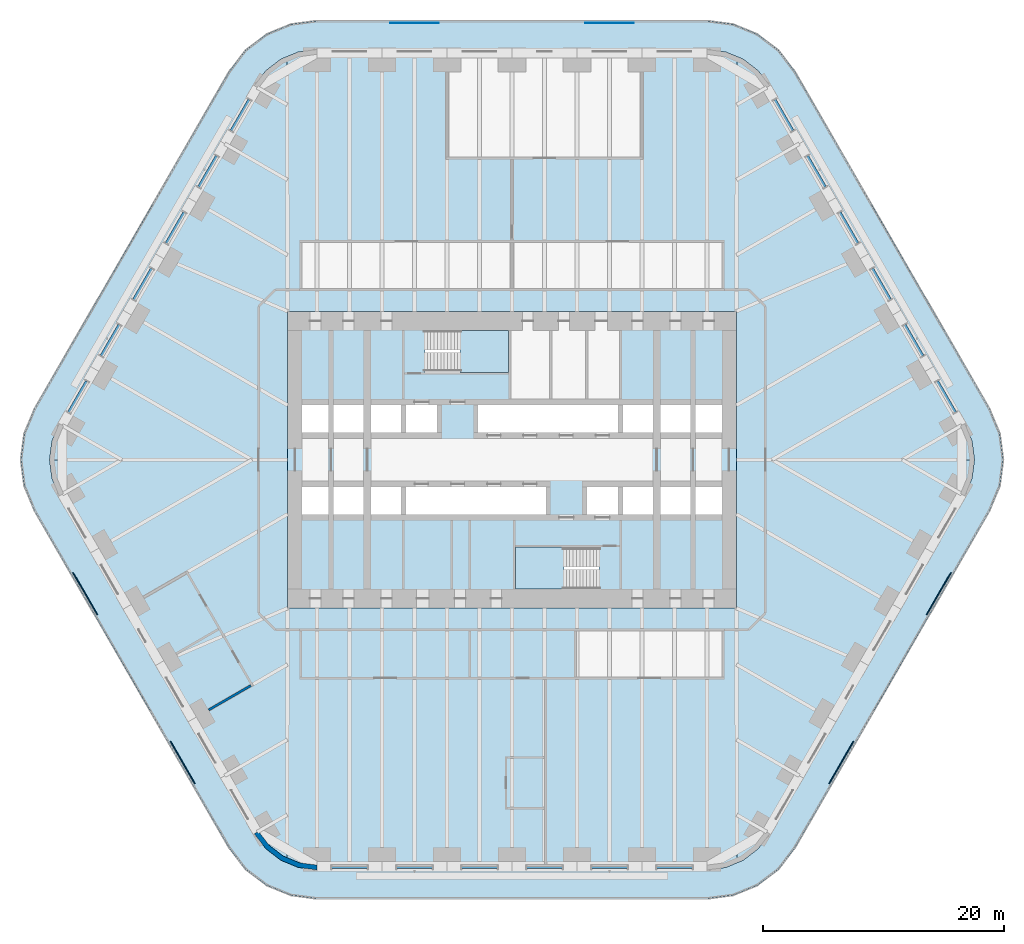
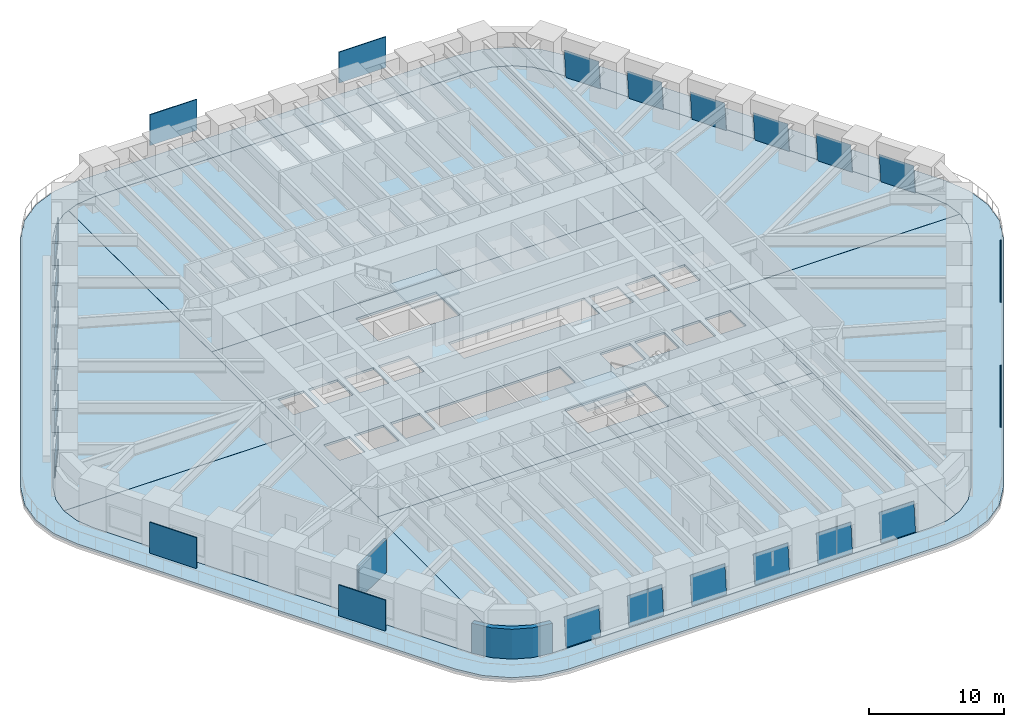
# One storey, part 15 of 23: 24 plates, 10 slabs, 2 walls, 20 elements without a shape of their own.
"""IFC4 building model written with IfcOpenShell, lengths in metres."""

from ifc_helpers import new_model, si_unit, direction, frame, frame_2d, origin, origin_2d, place, context, subcontext, project, spatial, polyline, rectangle, outline, extrude, material, layer, layer_set, type_object, element, aggregate, save


model = new_model("IFC4")

# Units and contexts
model_context = context("Model", 3, precision=1e-05, world=origin(), true_north=direction((0.0, 1.0)))
body_context = subcontext(model_context, "Body", "Model", "MODEL_VIEW")
ifc_project = project(units=[si_unit("LENGTHUNIT", "METRE"), si_unit("AREAUNIT", "SQUARE_METRE"), si_unit("VOLUMEUNIT", "CUBIC_METRE"), si_unit("PLANEANGLEUNIT", "RADIAN"), si_unit("MASSUNIT", "GRAM", prefix="KILO")], contexts=[model_context])

# Site, building, storey
site_placement = place(None, origin())
site = spatial("IfcSite", under=ifc_project, at=site_placement, CompositionType="ELEMENT")
building_placement = place(site_placement, origin())
building = spatial("IfcBuilding", under=site, at=building_placement, Name="Tarfa Lantern Tower", CompositionType="ELEMENT")
storey_placement = place(building_placement, frame((0.0, 0.0, 36.10009765625)))
storey = spatial("IfcBuildingStorey", under=building, at=storey_placement, Name="L07", CompositionType="ELEMENT", Elevation=36.10009765625)

# Slab
ifc_material_1 = material(Name="Concrete C40/50", Category="concrete")
ifc_layer_1 = layer(ifc_material_1, 0.199951171875)
ifc_layer_set_1 = layer_set([ifc_layer_1], Name="BS2 BALCONY SLAB 200")
slab_type_1 = type_object("IfcSlabType", Name="BS2 BALCONY SLAB 200", PredefinedType="FLOOR", material=ifc_layer_set_1)
slab_1_placement = place(storey_placement, frame((0.0, 0.0, -0.2001953125)))
element("IfcSlab", 1, at=slab_1_placement, inside=storey, type_object=slab_type_1, Name="Balcony L07", PredefinedType="FLOOR", context=body_context, shape_type="SweptSolid", body=[
    extrude(outline(polyline([(39.606201171875, 4.199951171875), (23.4404296875, 32.199951171875), (22.10546875, 33.939697265625), (20.36572265625, 35.274658203125), (18.33984375, 36.11376953125), (16.165771484375, 36.39990234375), (-16.165771484375, 36.39990234375), (-18.33984375, 36.11376953125), (-20.36572265625, 35.274658203125), (-22.10546875, 33.939697265625), (-23.4404296875, 32.199951171875), (-39.606201171875, 4.199951171875), (-40.4453125, 2.174072265625), (-40.731689453125, 0.0), (-40.4453125, -2.174072265625), (-39.606201171875, -4.199951171875), (-23.4404296875, -32.199951171875), (-22.10546875, -33.939697265625), (-20.36572265625, -35.274658203125), (-18.33984375, -36.11376953125), (-16.165771484375, -36.39990234375), (16.165771484375, -36.39990234375), (18.33984375, -36.11376953125), (20.36572265625, -35.274658203125), (22.10546875, -33.939697265625), (23.4404296875, -32.199951171875), (39.606201171875, -4.199951171875), (40.4453125, -2.174072265625), (40.731689453125, 0.0), (40.4453125, 2.174072265625), (39.606201171875, 4.199951171875)]), holes=[polyline([(37.52783203125, 3.0), (21.362060546875, 31.0), (20.408447265625, 32.24267578125), (19.165771484375, 33.196044921875), (17.71875, 33.795654296875), (16.165771484375, 34.0), (-16.165771484375, 34.0), (-17.71875, 33.795654296875), (-19.165771484375, 33.196044921875), (-20.408447265625, 32.24267578125), (-21.362060546875, 31.0), (-37.52783203125, 3.0), (-38.127197265625, 1.552978515625), (-38.33154296875, 0.0), (-38.127197265625, -1.552978515625), (-37.52783203125, -3.0), (-21.362060546875, -31.0), (-20.408447265625, -32.24267578125), (-19.165771484375, -33.196044921875), (-17.71875, -33.795654296875), (-16.165771484375, -34.0), (16.165771484375, -34.0), (17.71875, -33.795654296875), (19.165771484375, -33.196044921875), (20.408447265625, -32.24267578125), (21.362060546875, -31.0), (37.52783203125, -3.0), (38.127197265625, -1.552978515625), (38.33154296875, 0.0), (38.127197265625, 1.552978515625), (37.52783203125, 3.0)])]), origin(), (0.0, 0.0, 1.0), 0.2001953125),
])

# Curtain wall, plate
ifc_material_2 = material(Name="Aluminium framed curtain wall", Category="aluminium")
curtain_wall_type = type_object("IfcCurtainWallType", Name="CW1 CANTED GLAZING LOW ZONE 2700", PredefinedType="USERDEFINED", material=ifc_material_2)
curtain_wall_1_placement = place(storey_placement, origin())
curtain_wall_1 = element("IfcCurtainWall", 2, at=curtain_wall_1_placement, inside=storey, type_object=curtain_wall_type, Name="CW1 NE L07", ObjectType="CURTAIN WALL", PredefinedType="USERDEFINED")
ifc_material_3 = material(Name="Laminated double glazing", Category="glass")
ifc_layer_2 = layer(ifc_material_3, 0.028076171875)
ifc_layer_set_2 = layer_set([ifc_layer_2], Name="CWP1 DOUBLE GLAZED PANEL")
plate_type_1 = type_object("IfcPlateType", Name="CWP1 DOUBLE GLAZED PANEL", PredefinedType="CURTAIN_PANEL", material=ifc_layer_set_2)
plate_1_placement = place(storey_placement, frame((36.833740234375, 4.002197265625, 0.0), z_axis=(0.862327869115, 0.497882393798, 0.092215877663), x_axis=(-0.500013192991, 0.866017786667, 3.280829e-06)))
plate_1 = element("IfcPlate", 3, at=plate_1_placement, type_object=plate_type_1, Name="CW1 panel 1.1", PredefinedType="CURTAIN_PANEL", context=body_context, shape_type="SweptSolid", body=[
    extrude(outline(polyline([(0.0, 0.0), (2.9587247608884493, 1.3877787807814457e-17), (2.9586119504863087, 2.6462757391593192), (9.26313130443569e-06, 2.6462952359749448), (0.0, 0.0)])), origin(), (0.0, 0.0, -1.0), 0.028076171875),
])
aggregate(curtain_wall_1, [plate_1])

curtain_wall_2_placement = place(storey_placement, origin())
curtain_wall_2 = element("IfcCurtainWall", 4, at=curtain_wall_2_placement, inside=storey, type_object=curtain_wall_type, Name="CW1 NE L07", ObjectType="CURTAIN WALL", PredefinedType="USERDEFINED")
plate_2_placement = place(storey_placement, frame((34.139404296875, 8.6689453125, 0.0), z_axis=(0.862342481163, 0.497849746867, 0.09225548616), x_axis=(-0.499981985492, 0.866035804215, 0.0)))
plate_2 = element("IfcPlate", 5, at=plate_2_placement, type_object=plate_type_1, Name="CW1 panel 1.1", PredefinedType="CURTAIN_PANEL", context=body_context, shape_type="SweptSolid", body=[
    extrude(outline(polyline([(0.0, 0.0), (2.9586026892918595, 0.0), (2.958594509928721, 2.6462952380721316), (-8.179363138682455e-06, 2.6462952380721316), (0.0, 0.0)])), origin(), (0.0, 0.0, -1.0), 0.028076171875),
])
aggregate(curtain_wall_2, [plate_2])

curtain_wall_3_placement = place(storey_placement, origin())
curtain_wall_3 = element("IfcCurtainWall", 6, at=curtain_wall_3_placement, inside=storey, type_object=curtain_wall_type, Name="CW1 NE L07", ObjectType="CURTAIN WALL", PredefinedType="USERDEFINED")
plate_3_placement = place(storey_placement, frame((31.445068359375, 13.33544921875, 0.0), z_axis=(0.862331536503, 0.497884511238, 0.09217013953), x_axis=(-0.500012666981, 0.86601809037, -3.279351e-06)))
plate_3 = element("IfcPlate", 7, at=plate_3_placement, type_object=plate_type_1, Name="CW1 panel 1.1", PredefinedType="CURTAIN_PANEL", context=body_context, shape_type="SweptSolid", body=[
    extrude(outline(polyline([(0.0, 0.0), (2.958602687419229, -2.7755575615628914e-17), (2.9588059463239933, 2.6462839775192477), (8.118549973916932e-05, 2.6462644895697935), (0.0, 0.0)])), origin(), (0.0, 0.0, -1.0), 0.028076171875),
])
aggregate(curtain_wall_3, [plate_3])

curtain_wall_4_placement = place(storey_placement, origin())
curtain_wall_4 = element("IfcCurtainWall", 8, at=curtain_wall_4_placement, inside=storey, type_object=curtain_wall_type, Name="CW1 NE L07", ObjectType="CURTAIN WALL", PredefinedType="USERDEFINED")
plate_4_placement = place(storey_placement, frame((28.750732421875, 18.002197265625, 0.0), z_axis=(0.862327869115, 0.497882393798, 0.092215877663), x_axis=(-0.50001266672, 0.866018090521, -3.280965e-06)))
plate_4 = element("IfcPlate", 9, at=plate_4_placement, type_object=plate_type_1, Name="CW1 panel 1.1", PredefinedType="CURTAIN_PANEL", context=body_context, shape_type="SweptSolid", body=[
    extrude(outline(polyline([(0.0, 0.0), (2.958602687419245, 1.3877787807814457e-17), (2.9585945118013295, 2.646295235978528), (-0.00013024902287634953, 2.646275738358454), (0.0, 0.0)])), origin(), (0.0, 0.0, -1.0), 0.028076171875),
])
aggregate(curtain_wall_4, [plate_4])

curtain_wall_5_placement = place(storey_placement, origin())
curtain_wall_5 = element("IfcCurtainWall", 10, at=curtain_wall_5_placement, inside=storey, type_object=curtain_wall_type, Name="CW1 NE L07", ObjectType="CURTAIN WALL", PredefinedType="USERDEFINED")
plate_5_placement = place(storey_placement, frame((26.056396484375, 22.6689453125, 0.0), z_axis=(0.862348834857, 0.497853414997, 0.092176266992), x_axis=(-0.499981985492, 0.866035804215, 0.0)))
plate_5 = element("IfcPlate", 11, at=plate_5_placement, type_object=plate_type_1, Name="CW1 panel 1.1", PredefinedType="CURTAIN_PANEL", context=body_context, shape_type="SweptSolid", body=[
    extrude(outline(polyline([(0.0, 0.0), (2.9586026892918595, 0.0), (2.958472444014294, 2.6462757404522685), (-0.0001302452775655129, 2.6462757404522685), (0.0, 0.0)])), origin(), (0.0, 0.0, -1.0), 0.028076171875),
])
aggregate(curtain_wall_5, [plate_5])

curtain_wall_6_placement = place(storey_placement, origin())
curtain_wall_6 = element("IfcCurtainWall", 12, at=curtain_wall_6_placement, inside=storey, type_object=curtain_wall_type, Name="CW1 NE L07", ObjectType="CURTAIN WALL", PredefinedType="USERDEFINED")
plate_6_placement = place(storey_placement, frame((23.362060546875, 27.33544921875, 0.0), z_axis=(0.862352500545, 0.497855531282, 0.092130531185), x_axis=(-0.499981985492, 0.866035804215, 0.0)))
plate_6 = element("IfcPlate", 13, at=plate_6_placement, type_object=plate_type_1, Name="CW1 panel 1.1", PredefinedType="CURTAIN_PANEL", context=body_context, shape_type="SweptSolid", body=[
    extrude(outline(polyline([(0.0, 0.0), (2.9586026892918595, -1.3877787807814457e-17), (2.958683878536808, 2.646264491663335), (8.118924494802948e-05, 2.646264491663335), (0.0, 0.0)])), origin(), (0.0, 0.0, -1.0), 0.028076171875),
])
aggregate(curtain_wall_6, [plate_6])

curtain_wall_7_placement = place(storey_placement, origin())
curtain_wall_7 = element("IfcCurtainWall", 14, at=curtain_wall_7_placement, inside=storey, type_object=curtain_wall_type, Name="CW1 NW L07", ObjectType="CURTAIN WALL", PredefinedType="USERDEFINED")
plate_7_placement = place(storey_placement, frame((-21.8828125, 29.897705078125, 0.0), z_axis=(-0.862352500545, 0.497855531282, 0.092130531185), x_axis=(-0.499981985492, -0.866035804215, 0.0)))
plate_7 = element("IfcPlate", 15, at=plate_7_placement, type_object=plate_type_1, Name="CW1 panel 1.1", PredefinedType="CURTAIN_PANEL", context=body_context, shape_type="SweptSolid", body=[
    extrude(outline(polyline([(0.0, 0.0), (2.9586026892918595, 1.3877787807814457e-17), (2.9585215000469116, 2.646264491663335), (-8.118924494802948e-05, 2.646264491663335), (0.0, 0.0)])), origin(), (0.0, 0.0, -1.0), 0.028076171875),
])
aggregate(curtain_wall_7, [plate_7])

curtain_wall_8_placement = place(storey_placement, origin())
curtain_wall_8 = element("IfcCurtainWall", 16, at=curtain_wall_8_placement, inside=storey, type_object=curtain_wall_type, Name="CW1 NW L07", ObjectType="CURTAIN WALL", PredefinedType="USERDEFINED")
plate_8_placement = place(storey_placement, frame((-24.5771484375, 25.231201171875, 0.0), z_axis=(-0.862348834857, 0.497853414997, 0.092176266992), x_axis=(-0.499981985492, -0.866035804215, 0.0)))
plate_8 = element("IfcPlate", 17, at=plate_8_placement, type_object=plate_type_1, Name="CW1 panel 1.1", PredefinedType="CURTAIN_PANEL", context=body_context, shape_type="SweptSolid", body=[
    extrude(outline(polyline([(0.0, 0.0), (2.9586026892918595, 0.0), (2.9587329345694253, 2.6462757404522685), (0.0001302452775655129, 2.6462757404522685), (0.0, 0.0)])), origin(), (0.0, 0.0, -1.0), 0.028076171875),
])
aggregate(curtain_wall_8, [plate_8])

curtain_wall_9_placement = place(storey_placement, origin())
curtain_wall_9 = element("IfcCurtainWall", 18, at=curtain_wall_9_placement, inside=storey, type_object=curtain_wall_type, Name="CW1 NW L07", ObjectType="CURTAIN WALL", PredefinedType="USERDEFINED")
plate_9_placement = place(storey_placement, frame((-27.271484375, 20.564453125, 0.0), z_axis=(-0.862327869115, 0.497882393798, 0.092215877663), x_axis=(-0.50001266672, -0.866018090521, 3.280965e-06)))
plate_9 = element("IfcPlate", 19, at=plate_9_placement, type_object=plate_type_1, Name="CW1 panel 1.1", PredefinedType="CURTAIN_PANEL", context=body_context, shape_type="SweptSolid", body=[
    extrude(outline(polyline([(0.0, 0.0), (2.958602687419245, -1.3877787807814457e-17), (2.9587329364421215, 2.646275738358454), (8.175617915423306e-06, 2.646295235978528), (0.0, 0.0)])), origin(), (0.0, 0.0, -1.0), 0.028076171875),
])
aggregate(curtain_wall_9, [plate_9])

curtain_wall_10_placement = place(storey_placement, origin())
curtain_wall_10 = element("IfcCurtainWall", 20, at=curtain_wall_10_placement, inside=storey, type_object=curtain_wall_type, Name="CW1 NW L07", ObjectType="CURTAIN WALL", PredefinedType="USERDEFINED")
plate_10_placement = place(storey_placement, frame((-29.9658203125, 15.897705078125, 0.0), z_axis=(-0.862331536503, 0.497884511238, 0.09217013953), x_axis=(-0.500012666981, -0.86601809037, 3.279351e-06)))
plate_10 = element("IfcPlate", 21, at=plate_10_placement, type_object=plate_type_1, Name="CW1 panel 1.1", PredefinedType="CURTAIN_PANEL", context=body_context, shape_type="SweptSolid", body=[
    extrude(outline(polyline([(0.0, 0.0), (2.958602687419229, 2.7755575615628914e-17), (2.95852150191949, 2.6462644895697935), (-0.00020325890476380847, 2.6462839775192477), (0.0, 0.0)])), origin(), (0.0, 0.0, -1.0), 0.028076171875),
])
aggregate(curtain_wall_10, [plate_10])

curtain_wall_11_placement = place(storey_placement, origin())
curtain_wall_11 = element("IfcCurtainWall", 22, at=curtain_wall_11_placement, inside=storey, type_object=curtain_wall_type, Name="CW1 NW L07", ObjectType="CURTAIN WALL", PredefinedType="USERDEFINED")
plate_11_placement = place(storey_placement, frame((-32.66015625, 11.231201171875, 0.0), z_axis=(-0.862342481163, 0.497849746867, 0.09225548616), x_axis=(-0.499981985492, -0.866035804215, 0.0)))
plate_11 = element("IfcPlate", 23, at=plate_11_placement, type_object=plate_type_1, Name="CW1 panel 1.1", PredefinedType="CURTAIN_PANEL", context=body_context, shape_type="SweptSolid", body=[
    extrude(outline(polyline([(0.0, 0.0), (2.9586026892918595, 0.0), (2.9586108686549983, 2.6462952380721316), (8.179363138682455e-06, 2.6462952380721316), (0.0, 0.0)])), origin(), (0.0, 0.0, -1.0), 0.028076171875),
])
aggregate(curtain_wall_11, [plate_11])

curtain_wall_12_placement = place(storey_placement, origin())
curtain_wall_12 = element("IfcCurtainWall", 24, at=curtain_wall_12_placement, inside=storey, type_object=curtain_wall_type, Name="CW1 NW L07", ObjectType="CURTAIN WALL", PredefinedType="USERDEFINED")
plate_12_placement = place(storey_placement, frame((-35.354248046875, 6.564453125, 0.0), z_axis=(-0.862327869115, 0.497882393798, 0.092215877663), x_axis=(-0.500013192991, -0.866017786667, -3.280829e-06)))
plate_12 = element("IfcPlate", 25, at=plate_12_placement, type_object=plate_type_1, Name="CW1 panel 1.1", PredefinedType="CURTAIN_PANEL", context=body_context, shape_type="SweptSolid", body=[
    extrude(outline(polyline([(0.0, 0.0), (2.9587247608884493, -1.3877787807814457e-17), (2.9587154977571455, 2.6462952359749448), (0.00011281040214067216, 2.6462757391593192), (0.0, 0.0)])), origin(), (0.0, 0.0, -1.0), 0.028076171875),
])
aggregate(curtain_wall_12, [plate_12])

curtain_wall_13_placement = place(storey_placement, origin())
curtain_wall_13 = element("IfcCurtainWall", 26, at=curtain_wall_13_placement, inside=storey, type_object=curtain_wall_type, Name="CW1 S L07", ObjectType="CURTAIN WALL", PredefinedType="USERDEFINED")
plate_13_placement = place(storey_placement, frame((-14.950927734375, -33.89990234375, 0.0), z_axis=(0.0, -0.995743653657, 0.092166025202), x_axis=(1.0, 0.0, 0.0)))
plate_13 = element("IfcPlate", 27, at=plate_13_placement, type_object=plate_type_1, Name="CW1 panel 1.1", PredefinedType="CURTAIN_PANEL", context=body_context, shape_type="SweptSolid", body=[
    extrude(outline(polyline([(0.0, 0.0), (2.958740234375, 0.0), (2.958740234375, 2.6462732209712594), (0.0, 2.6462732209712594), (0.0, 0.0)])), origin(), (0.0, 0.0, -1.0), 0.028076171875),
])
aggregate(curtain_wall_13, [plate_13])

curtain_wall_14_placement = place(storey_placement, origin())
curtain_wall_14 = element("IfcCurtainWall", 28, at=curtain_wall_14_placement, inside=storey, type_object=curtain_wall_type, Name="CW1 S L07", ObjectType="CURTAIN WALL", PredefinedType="USERDEFINED")
plate_14_placement = place(storey_placement, frame((-9.562255859375, -33.89990234375, 0.0), z_axis=(0.0, -0.995743653657, 0.092166025202), x_axis=(1.0, 0.0, 0.0)))
plate_14 = element("IfcPlate", 29, at=plate_14_placement, type_object=plate_type_1, Name="CW1 panel 1.1", PredefinedType="CURTAIN_PANEL", context=body_context, shape_type="SweptSolid", body=[
    extrude(outline(polyline([(0.0, 0.0), (2.958740234375, 0.0), (2.958740234375, 2.6462732209712594), (0.0, 2.6462732209712594), (0.0, 0.0)])), origin(), (0.0, 0.0, -1.0), 0.028076171875),
])
aggregate(curtain_wall_14, [plate_14])

curtain_wall_15_placement = place(storey_placement, origin())
curtain_wall_15 = element("IfcCurtainWall", 30, at=curtain_wall_15_placement, inside=storey, type_object=curtain_wall_type, Name="CW1 S L07", ObjectType="CURTAIN WALL", PredefinedType="USERDEFINED")
plate_15_placement = place(storey_placement, frame((-4.173583984375, -33.89990234375, 0.0), z_axis=(0.0, -0.995743653657, 0.092166025202), x_axis=(1.0, 0.0, 0.0)))
plate_15 = element("IfcPlate", 31, at=plate_15_placement, type_object=plate_type_1, Name="CW1 panel 1.1", PredefinedType="CURTAIN_PANEL", context=body_context, shape_type="SweptSolid", body=[
    extrude(outline(polyline([(0.0, 0.0), (2.95849609375, 0.0), (2.95849609375, 2.6462732209712594), (0.0, 2.6462732209712594), (0.0, 0.0)])), origin(), (0.0, 0.0, -1.0), 0.028076171875),
])
aggregate(curtain_wall_15, [plate_15])

curtain_wall_16_placement = place(storey_placement, origin())
curtain_wall_16 = element("IfcCurtainWall", 32, at=curtain_wall_16_placement, inside=storey, type_object=curtain_wall_type, Name="CW1 S L07", ObjectType="CURTAIN WALL", PredefinedType="USERDEFINED")
plate_16_placement = place(storey_placement, frame((1.215087890625, -33.89990234375, 0.0), z_axis=(0.0, -0.995743653657, 0.092166025202), x_axis=(1.0, 0.0, 0.0)))
plate_16 = element("IfcPlate", 33, at=plate_16_placement, type_object=plate_type_1, Name="CW1 panel 1.1", PredefinedType="CURTAIN_PANEL", context=body_context, shape_type="SweptSolid", body=[
    extrude(outline(polyline([(0.0, 0.0), (2.95849609375, 0.0), (2.95849609375, 2.6462732209712594), (0.0, 2.6462732209712594), (0.0, 0.0)])), origin(), (0.0, 0.0, -1.0), 0.028076171875),
])
aggregate(curtain_wall_16, [plate_16])

curtain_wall_17_placement = place(storey_placement, origin())
curtain_wall_17 = element("IfcCurtainWall", 34, at=curtain_wall_17_placement, inside=storey, type_object=curtain_wall_type, Name="CW1 S L07", ObjectType="CURTAIN WALL", PredefinedType="USERDEFINED")
plate_17_placement = place(storey_placement, frame((6.603515625, -33.89990234375, 0.0), z_axis=(0.0, -0.995743653657, 0.092166025202), x_axis=(1.0, 0.0, 0.0)))
plate_17 = element("IfcPlate", 35, at=plate_17_placement, type_object=plate_type_1, Name="CW1 panel 1.1", PredefinedType="CURTAIN_PANEL", context=body_context, shape_type="SweptSolid", body=[
    extrude(outline(polyline([(0.0, 0.0), (2.958740234375, 0.0), (2.958740234375, 2.6462732209712594), (0.0, 2.6462732209712594), (0.0, 0.0)])), origin(), (0.0, 0.0, -1.0), 0.028076171875),
])
aggregate(curtain_wall_17, [plate_17])

curtain_wall_18_placement = place(storey_placement, origin())
curtain_wall_18 = element("IfcCurtainWall", 36, at=curtain_wall_18_placement, inside=storey, type_object=curtain_wall_type, Name="CW1 S L07", ObjectType="CURTAIN WALL", PredefinedType="USERDEFINED")
plate_18_placement = place(storey_placement, frame((11.9921875, -33.89990234375, 0.0), z_axis=(0.0, -0.995743653657, 0.092166025202), x_axis=(1.0, 0.0, 0.0)))
plate_18 = element("IfcPlate", 37, at=plate_18_placement, type_object=plate_type_1, Name="CW1 panel 1.1", PredefinedType="CURTAIN_PANEL", context=body_context, shape_type="SweptSolid", body=[
    extrude(outline(polyline([(0.0, 0.0), (2.958740234375, 0.0), (2.958740234375, 2.6462732209712594), (0.0, 2.6462732209712594), (0.0, 0.0)])), origin(), (0.0, 0.0, -1.0), 0.028076171875),
])
aggregate(curtain_wall_18, [plate_18])

# Slabs
ifc_layer_3 = layer(ifc_material_1, 0.199951171875)
ifc_layer_set_3 = layer_set([ifc_layer_3], Name="FS1 FLOOR SLAB 200")
slab_type_2 = type_object("IfcSlabType", Name="FS1 FLOOR SLAB 200", PredefinedType="FLOOR", material=ifc_layer_set_3)
slab_2_placement = place(storey_placement, frame((0.0, 0.0, -0.2001953125)))
element("IfcSlab", 38, at=slab_2_placement, inside=storey, type_object=slab_type_2, Name="Floor slab L07", PredefinedType="FLOOR", context=body_context, shape_type="SweptSolid", body=[
    extrude(outline(polyline([(-18.60009765625, -12.300048828125), (18.60009765625, -12.300048828125), (18.60009765625, 12.300048828125), (-18.60009765625, 12.300048828125), (-18.60009765625, -12.300048828125)]), holes=[polyline([(-17.39990234375, 2.25), (-15.199951171875, 2.25), (-15.199951171875, 4.550048828125), (-17.39990234375, 4.550048828125), (-17.39990234375, 2.25)]), polyline([(-14.800048828125, 2.25), (-12.300048828125, 2.25), (-12.300048828125, 4.550048828125), (-14.800048828125, 4.550048828125), (-14.800048828125, 2.25)]), polyline([(-11.699951171875, 2.25), (-9.199951171875, 2.25), (-9.199951171875, 4.550048828125), (-11.699951171875, 4.550048828125), (-11.699951171875, 2.25)]), polyline([(-8.800048828125, 2.25), (-6.199951171875, 2.25), (-6.199951171875, 4.550048828125), (-8.800048828125, 4.550048828125), (-8.800048828125, 2.25)]), polyline([(-2.800048828125, 2.25), (8.800048828125, 2.25), (8.800048828125, 4.550048828125), (-2.800048828125, 4.550048828125), (-2.800048828125, 2.25)]), polyline([(9.199951171875, 2.25), (11.699951171875, 2.25), (11.699951171875, 4.550048828125), (9.199951171875, 4.550048828125), (9.199951171875, 2.25)]), polyline([(12.300048828125, 2.25), (14.800048828125, 2.25), (14.800048828125, 4.550048828125), (12.300048828125, 4.550048828125), (12.300048828125, 2.25)]), polyline([(15.199951171875, 2.25), (17.39990234375, 2.25), (17.39990234375, 4.550048828125), (15.199951171875, 4.550048828125), (15.199951171875, 2.25)]), polyline([(17.39990234375, -2.25), (15.199951171875, -2.25), (15.199951171875, -4.550048828125), (17.39990234375, -4.550048828125), (17.39990234375, -2.25)]), polyline([(14.800048828125, -2.25), (12.300048828125, -2.25), (12.300048828125, -4.550048828125), (14.800048828125, -4.550048828125), (14.800048828125, -2.25)]), polyline([(11.699951171875, -2.25), (9.199951171875, -2.25), (9.199951171875, -4.550048828125), (11.699951171875, -4.550048828125), (11.699951171875, -2.25)]), polyline([(8.800048828125, -2.25), (6.199951171875, -2.25), (6.199951171875, -4.550048828125), (8.800048828125, -4.550048828125), (8.800048828125, -2.25)]), polyline([(2.800048828125, -2.25), (-8.800048828125, -2.25), (-8.800048828125, -4.550048828125), (2.800048828125, -4.550048828125), (2.800048828125, -2.25)]), polyline([(-9.199951171875, -2.25), (-11.699951171875, -2.25), (-11.699951171875, -4.550048828125), (-9.199951171875, -4.550048828125), (-9.199951171875, -2.25)]), polyline([(-12.300048828125, -2.25), (-14.800048828125, -2.25), (-14.800048828125, -4.550048828125), (-12.300048828125, -4.550048828125), (-12.300048828125, -2.25)]), polyline([(-15.199951171875, -2.25), (-17.39990234375, -2.25), (-17.39990234375, -4.550048828125), (-15.199951171875, -4.550048828125), (-15.199951171875, -2.25)]), polyline([(-7.199951171875, 7.25), (-0.300048828125, 7.25), (-0.300048828125, 10.699951171875), (-7.199951171875, 10.699951171875), (-7.199951171875, 7.25)]), polyline([(7.199951171875, -7.25), (0.300048828125, -7.25), (0.300048828125, -10.699951171875), (7.199951171875, -10.699951171875), (7.199951171875, -7.25)])]), origin(), (0.0, 0.0, 1.0), 0.2001953125),
])
slab_3_placement = place(storey_placement, frame((0.0, 0.0, -0.2001953125)))
element("IfcSlab", 39, at=slab_3_placement, inside=storey, type_object=slab_type_2, Name="Floor slab L07 NE bay", PredefinedType="FLOOR", context=body_context, shape_type="SweptSolid", body=[
    extrude(outline(polyline([(37.52587890625, 2.9990234375), (21.3603515625, 30.998779296875), (20.406982421875, 32.2412109375), (19.164794921875, 33.1943359375), (18.64697265625, 33.408935546875), (18.60205078125, 12.300048828125), (18.60205078125, 0.001953125), (38.329345703125, 0.001953125), (38.125244140625, 1.552490234375), (37.52587890625, 2.9990234375)])), origin(), (0.0, 0.0, 1.0), 0.2001953125),
])
slab_4_placement = place(storey_placement, frame((0.0, 0.0, -0.2001953125)))
element("IfcSlab", 40, at=slab_4_placement, inside=storey, type_object=slab_type_2, Name="Floor slab L07 N bay", PredefinedType="FLOOR", context=body_context, shape_type="SweptSolid", body=[
    extrude(outline(polyline([(-18.597900390625, 12.302001953125), (18.597900390625, 12.302001953125), (18.64306640625, 33.41064453125), (17.71826171875, 33.793701171875), (16.165771484375, 33.998046875), (-16.165771484375, 33.998046875), (-17.71826171875, 33.793701171875), (-18.64306640625, 33.41064453125), (-18.597900390625, 12.302001953125)])), origin(), (0.0, 0.0, 1.0), 0.2001953125),
])
slab_5_placement = place(storey_placement, frame((0.0, 0.0, -0.2001953125)))
element("IfcSlab", 41, at=slab_5_placement, inside=storey, type_object=slab_type_2, Name="Floor slab L07 NW bay", PredefinedType="FLOOR", context=body_context, shape_type="SweptSolid", body=[
    extrude(outline(polyline([(-18.60205078125, 0.001953125), (-18.60205078125, 12.300048828125), (-18.64697265625, 33.408935546875), (-19.164794921875, 33.1943359375), (-20.406982421875, 32.2412109375), (-21.3603515625, 30.998779296875), (-37.52587890625, 2.9990234375), (-38.125244140625, 1.552490234375), (-38.329345703125, 0.001953125), (-18.60205078125, 0.001953125)])), origin(), (0.0, 0.0, 1.0), 0.2001953125),
])
slab_6_placement = place(storey_placement, frame((0.0, 0.0, -0.2001953125)))
element("IfcSlab", 42, at=slab_6_placement, inside=storey, type_object=slab_type_2, Name="Floor slab L07 SW bay", PredefinedType="FLOOR", context=body_context, shape_type="SweptSolid", body=[
    extrude(outline(polyline([(-18.60205078125, -12.300048828125), (-18.60205078125, -0.001953125), (-38.329345703125, -0.001953125), (-38.125244140625, -1.552490234375), (-37.52587890625, -2.9990234375), (-21.3603515625, -30.998779296875), (-20.406982421875, -32.2412109375), (-19.164794921875, -33.1943359375), (-18.64697265625, -33.408935546875), (-18.60205078125, -12.300048828125)])), origin(), (0.0, 0.0, 1.0), 0.2001953125),
])
slab_7_placement = place(storey_placement, frame((0.0, 0.0, -0.2001953125)))
element("IfcSlab", 43, at=slab_7_placement, inside=storey, type_object=slab_type_2, Name="Floor slab L07 S bay", PredefinedType="FLOOR", context=body_context, shape_type="SweptSolid", body=[
    extrude(outline(polyline([(18.597900390625, -12.302001953125), (-18.597900390625, -12.302001953125), (-18.64306640625, -33.41064453125), (-17.71826171875, -33.793701171875), (-16.165771484375, -33.998046875), (16.165771484375, -33.998046875), (17.71826171875, -33.793701171875), (18.64306640625, -33.41064453125), (18.597900390625, -12.302001953125)])), origin(), (0.0, 0.0, 1.0), 0.2001953125),
])
slab_8_placement = place(storey_placement, frame((0.0, 0.0, -0.2001953125)))
element("IfcSlab", 44, at=slab_8_placement, inside=storey, type_object=slab_type_2, Name="Floor slab L07 SE bay", PredefinedType="FLOOR", context=body_context, shape_type="SweptSolid", body=[
    extrude(outline(polyline([(18.60205078125, -0.001953125), (18.60205078125, -12.300048828125), (18.64697265625, -33.408935546875), (19.164794921875, -33.1943359375), (20.406982421875, -32.2412109375), (21.3603515625, -30.998779296875), (37.52587890625, -2.9990234375), (38.125244140625, -1.552490234375), (38.329345703125, -0.001953125), (18.60205078125, -0.001953125)])), origin(), (0.0, 0.0, 1.0), 0.2001953125),
])

# Plates
ifc_material_4 = material(Name="Perforated limestone screen", Category="masonry")
ifc_layer_4 = layer(ifc_material_4, 0.080078125)
ifc_layer_set_4 = layer_set([ifc_layer_4], Name="SC1 STONE SCREEN 80")
plate_type_2 = type_object("IfcPlateType", Name="SC1 STONE SCREEN 80", PredefinedType="USERDEFINED", material=ifc_layer_set_4)
for number, where, z_axis, x_axis, name in (
    (45, (8.0830078125, 36.199951171875, 1.19970703125), (0.0, 0.0, 1.0), (-1.0, 0.0, 0.0), "Stone screen N 1"),
    (46, (-8.0830078125, 36.199951171875, 1.19970703125), (0.0, 0.0, 1.0), (-1.0, 0.0, 0.0), "Stone screen N 2"),
    (47, (-35.3916015625, -11.10009765625, 1.19970703125), (0.0, 0.0, 1.0), (0.5, -0.866025403784, 0.0), "Stone screen SW 1"),
    (48, (-27.30859375, -25.10009765625, 1.19970703125), (0.0, 0.0, 1.0), (0.5, -0.866025403784, 0.0), "Stone screen SW 2"),
    (49, (27.30859375, -25.10009765625, 1.19970703125), (0.0, 0.0, 1.0), (0.5, 0.866025403784, 0.0), "Stone screen SE 1"),
    (50, (35.3916015625, -11.10009765625, 1.19970703125), (0.0, 0.0, 1.0), (0.5, 0.866025403784, 0.0), "Stone screen SE 2"),
):
    element("IfcPlate", number, at=place(storey_placement, frame(where, z_axis=z_axis, x_axis=x_axis)), inside=storey, type_object=plate_type_2, Name=name, ObjectType="SCREEN", PredefinedType="USERDEFINED", context=body_context, shape_type="SweptSolid", body=[
        extrude(rectangle(XDim=4.0, YDim=0.080078125, at=origin_2d()), origin(), (0.0, 0.0, 1.0), 2.800048828125),
    ])

# Stair, slab
stair_type = type_object("IfcStairType", Name="ST-T10 HALF-TURN STAIR 4200 RISE", PredefinedType="HALF_TURN_STAIR", material=ifc_material_1)
stair_1_placement = place(storey_placement, origin())
stair_1 = element("IfcStair", 51, at=stair_1_placement, inside=storey, type_object=stair_type, Name="Stair ST1", PredefinedType="HALF_TURN_STAIR")
ifc_layer_5 = layer(ifc_material_1, 0.199951171875)
ifc_layer_set_5 = layer_set([ifc_layer_5], Name="SL1 STAIR LANDING 200")
slab_type_3 = type_object("IfcSlabType", Name="SL1 STAIR LANDING 200", PredefinedType="LANDING", material=ifc_layer_set_5)
slab_9_placement = place(storey_placement, frame((0.0, 0.0, 1.89990234375)))
slab_9 = element("IfcSlab", 52, at=slab_9_placement, type_object=slab_type_3, Name="ST1 landing 1", PredefinedType="LANDING", context=body_context, shape_type="SweptSolid", body=[
    extrude(outline(polyline([(-4.320068359375, 7.25), (-0.300048828125, 7.25), (-0.300048828125, 10.699951171875), (-4.320068359375, 10.699951171875), (-4.320068359375, 7.25)])), origin(), (0.0, 0.0, 1.0), 0.199951171875),
])
aggregate(stair_1, [slab_9])

stair_2_placement = place(storey_placement, origin())
stair_2 = element("IfcStair", 53, at=stair_2_placement, inside=storey, type_object=stair_type, Name="Stair ST2", PredefinedType="HALF_TURN_STAIR")
slab_10_placement = place(storey_placement, frame((0.0, 0.0, 1.89990234375)))
slab_10 = element("IfcSlab", 54, at=slab_10_placement, type_object=slab_type_3, Name="ST2 landing 1", PredefinedType="LANDING", context=body_context, shape_type="SweptSolid", body=[
    extrude(outline(polyline([(4.320068359375, -7.25), (0.300048828125, -7.25), (0.300048828125, -10.699951171875), (4.320068359375, -10.699951171875), (4.320068359375, -7.25)])), origin(), (0.0, 0.0, 1.0), 0.199951171875),
])
aggregate(stair_2, [slab_10])

# Walls
ifc_material_5 = material(Name="Limestone cladding on blockwork", Category="masonry")
ifc_layer_6 = layer(ifc_material_5, 0.39990234375)
ifc_layer_set_6 = layer_set([ifc_layer_6], Name="EW2 CURVED STONE CORNER 400")
wall_type_1 = type_object("IfcWallType", Name="EW2 CURVED STONE CORNER 400", PredefinedType="SOLIDWALL", material=ifc_layer_set_6)
wall_1_placement = place(storey_placement, origin())
element("IfcWall", 55, at=wall_1_placement, inside=storey, type_object=wall_type_1, Name="Stone corner SW-S", PredefinedType="SOLIDWALL", context=body_context, shape_type="SweptSolid", body=[
    extrude(outline(polyline([(-21.362060546875, -31.0), (-20.408447265625, -32.24267578125), (-19.165771484375, -33.196044921875), (-17.71875, -33.795654296875), (-16.165771484375, -34.0), (-16.165771484375, -33.60009765625), (-17.615234375, -33.4091796875), (-18.9658203125, -32.849853515625), (-20.12548828125, -31.959716796875), (-21.015625, -30.800048828125), (-21.362060546875, -31.0)])), origin(), (0.0, 0.0, 1.0), 2.699951171875),
])
ifc_material_6 = material(Name="Gypsum board on steel studs", Category="steel")
ifc_layer_7 = layer(ifc_material_6, 0.2099609375)
ifc_layer_set_7 = layer_set([ifc_layer_7], Name="IW2 ACOUSTIC PARTITION 200")
wall_type_2 = type_object("IfcWallType", Name="IW2 ACOUSTIC PARTITION 200", PredefinedType="PARTITIONING", material=ifc_layer_set_7)
wall_2_placement = place(storey_placement, frame((-21.64111328125, -18.716552734375, 0.0), z_axis=(0.0, 0.0, 1.0), x_axis=(-0.866004885491, -0.500035537042, 0.0)))
element("IfcWall", 56, at=wall_2_placement, inside=storey, type_object=wall_type_2, Name="Partition", PredefinedType="PARTITIONING", context=body_context, shape_type="SweptSolid", body=[
    extrude(rectangle(XDim=4.050048828125, YDim=0.199951171875, at=frame_2d((2.02490234375, 0.0))), origin(), (0.0, 0.0, 1.0), 2.99169921875),
])

save(model, "model.ifc")
